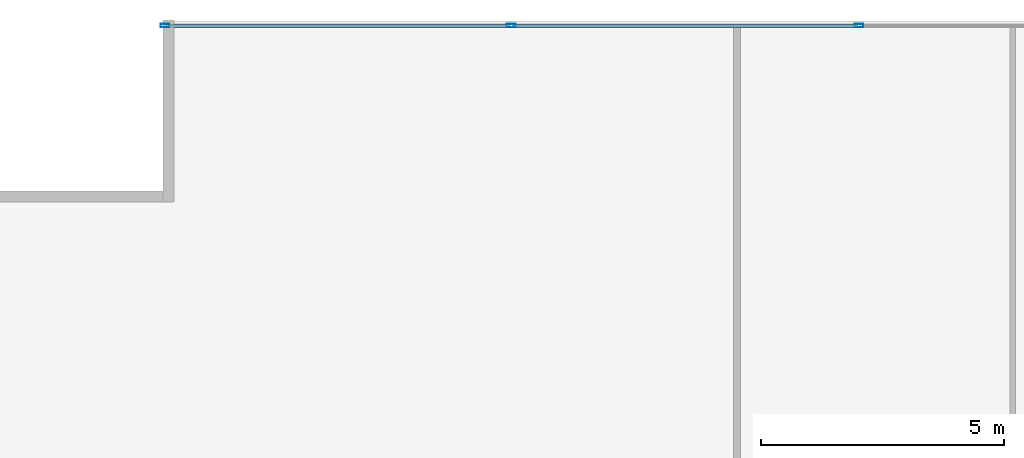
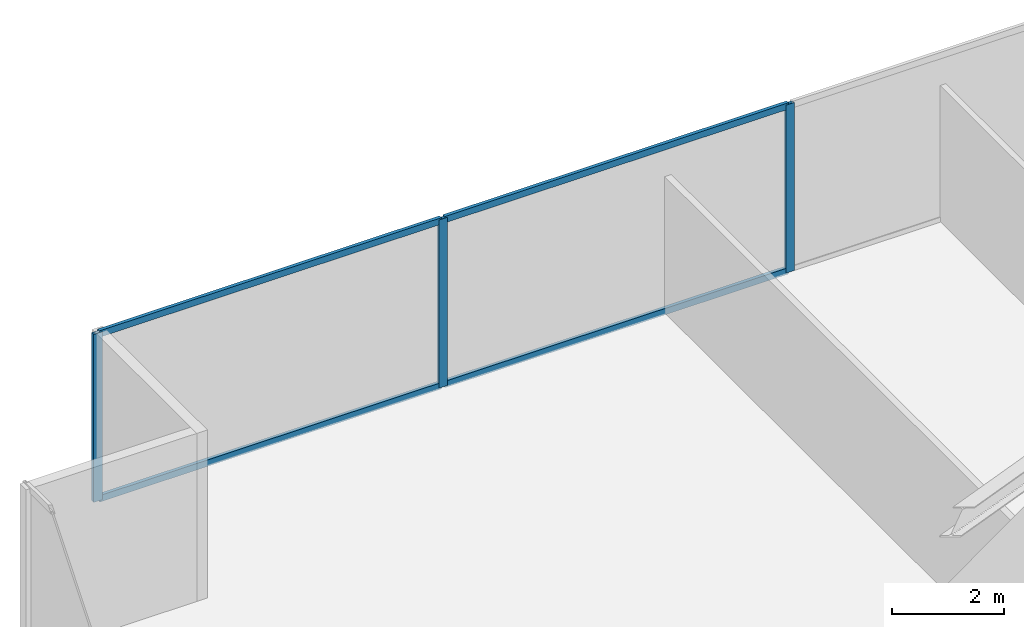
# One storey, part 19 of 28: 7 members, 1 element without a shape of its own.
"""IFC4 building model written with IfcOpenShell, lengths in metres."""

from ifc_helpers import new_model, si_unit, direction, frame, origin, origin_2d, place, context, subcontext, project, spatial, hollow_rectangle, extrude, source, transform, mapped, material, material_profile, profile_set, type_object, type_shapes, element, aggregate, save


model = new_model("IFC4")

# Units and contexts
model_context = context("Model", 3, precision=1e-05, world=origin(), true_north=direction((0.0, 1.0)))
body_context = subcontext(model_context, "Body", "Model", "MODEL_VIEW")
ifc_project = project(units=[si_unit("LENGTHUNIT", "METRE"), si_unit("AREAUNIT", "SQUARE_METRE"), si_unit("VOLUMEUNIT", "CUBIC_METRE"), si_unit("PLANEANGLEUNIT", "RADIAN"), si_unit("MASSUNIT", "GRAM", prefix="KILO")], contexts=[model_context])

# Site, building, storey
site_placement = place(None, origin())
site = spatial("IfcSite", under=ifc_project, at=site_placement, CompositionType="ELEMENT")
building_placement = place(site_placement, origin())
building = spatial("IfcBuilding", under=site, at=building_placement, Name="Krantzveldt Concourse Tower", CompositionType="ELEMENT")
storey_placement = place(building_placement, frame((0.0, 0.0, 32.89990234375)))
storey = spatial("IfcBuildingStorey", under=building, at=storey_placement, Name="L07", CompositionType="ELEMENT", Elevation=32.89990234375)

# Curtain wall, members
ifc_material = material(Name="Anodised aluminium 6063-T6", Category="aluminium")
curtain_wall_type = type_object("IfcCurtainWallType", Name="CW2", PredefinedType="USERDEFINED", material=ifc_material)
curtain_wall_placement = place(storey_placement, origin())
curtain_wall = element("IfcCurtainWall", 1, at=curtain_wall_placement, inside=storey, type_object=curtain_wall_type, Name="CW-L07-F10", ObjectType="UNITISED CURTAIN WALL", PredefinedType="USERDEFINED")
ifc_material_profile_1 = material_profile(ifc_material, hollow_rectangle(XDim=0.070068359375, YDim=0.139892578125, WallThickness=0.0048828125, at=origin_2d()), Name="Anodised aluminium 6063-T6", Category="aluminium")
ifc_profile_set_1 = profile_set([ifc_material_profile_1], Name="Anodised aluminium 6063-T6 - ALU-TRAN 140x70x5")
member_type_1 = type_object("IfcMemberType", Name="CW-TRN-150", PredefinedType="USERDEFINED", material=ifc_profile_set_1)
shared_shape_1 = source(origin(), body_context, "Body", "SweptSolid", [
    extrude(hollow_rectangle(XDim=0.070068359375, YDim=0.139892578125, WallThickness=0.0048828125, at=origin_2d()), origin(), (0.0, 0.0, 1.0), 7.0615234375),
])
member_1_placement = place(storey_placement, frame((21.631591796875, 51.610107421875, 0.03515625), z_axis=(-1.0, 0.0, 0.0), x_axis=(0.0, -1.0, 0.0)))
member_1 = element("IfcMember", 2, at=member_1_placement, type_object=member_type_1, Name="CW-Z12 transom 6.1", ObjectType="TRANSOM", PredefinedType="USERDEFINED", context=body_context, shape_type="MappedRepresentation", body=[
    mapped(shared_shape_1, transform((0.0, 0.0, 0.0), x_axis=(1.0, 0.0, 0.0), y_axis=(0.0, 1.0, 0.0), z_axis=(0.0, 0.0, 1.0), scale=1.0)),
])
member_2_placement = place(storey_placement, frame((21.631591796875, 51.610107421875, 3.635009765625), z_axis=(-1.0, 0.0, 0.0), x_axis=(0.0, -1.0, 0.0)))
member_2 = element("IfcMember", 3, at=member_2_placement, type_object=member_type_1, Name="CW-Z12 transom 6.2", ObjectType="TRANSOM", PredefinedType="USERDEFINED", context=body_context, shape_type="MappedRepresentation", body=[
    mapped(shared_shape_1, transform((0.0, 0.0, 0.0), x_axis=(1.0, 0.0, 0.0), y_axis=(0.0, 1.0, 0.0), z_axis=(0.0, 0.0, 1.0), scale=1.0)),
])
shared_shape_2 = source(origin(), body_context, "Body", "SweptSolid", [
    extrude(hollow_rectangle(XDim=0.070068359375, YDim=0.139892578125, WallThickness=0.0048828125, at=origin_2d()), origin(), (0.0, 0.0, 1.0), 7.0966796875),
])
type_shapes(member_type_1, [shared_shape_1, shared_shape_2])
member_3_placement = place(storey_placement, frame((28.79833984375, 51.610107421875, 0.03515625), z_axis=(-1.0, 0.0, 0.0), x_axis=(0.0, -1.0, 0.0)))
member_3 = element("IfcMember", 4, at=member_3_placement, type_object=member_type_1, Name="CW-Z12 transom 5.1", ObjectType="TRANSOM", PredefinedType="USERDEFINED", context=body_context, shape_type="MappedRepresentation", body=[
    mapped(shared_shape_2, transform((0.0, 0.0, 0.0), x_axis=(1.0, 0.0, 0.0), y_axis=(0.0, 1.0, 0.0), z_axis=(0.0, 0.0, 1.0), scale=1.0)),
])
member_4_placement = place(storey_placement, frame((28.79833984375, 51.610107421875, 3.635009765625), z_axis=(-1.0, 0.0, 0.0), x_axis=(0.0, -1.0, 0.0)))
member_4 = element("IfcMember", 5, at=member_4_placement, type_object=member_type_1, Name="CW-Z12 transom 5.2", ObjectType="TRANSOM", PredefinedType="USERDEFINED", context=body_context, shape_type="MappedRepresentation", body=[
    mapped(shared_shape_2, transform((0.0, 0.0, 0.0), x_axis=(1.0, 0.0, 0.0), y_axis=(0.0, 1.0, 0.0), z_axis=(0.0, 0.0, 1.0), scale=1.0)),
])
ifc_material_profile_2 = material_profile(ifc_material, hollow_rectangle(XDim=0.070068359375, YDim=0.179931640625, WallThickness=0.0048828125, at=origin_2d()), Name="Anodised aluminium 6063-T6", Category="aluminium")
ifc_profile_set_2 = profile_set([ifc_material_profile_2], Name="Anodised aluminium 6063-T6 - ALU-MULL 180x70x5")
member_type_2 = type_object("IfcMemberType", Name="CW-MUL-180", PredefinedType="MULLION", material=ifc_profile_set_2)
shared_shape_3 = source(origin(), body_context, "Body", "SweptSolid", [
    extrude(hollow_rectangle(XDim=0.070068359375, YDim=0.179931640625, WallThickness=0.0048828125, at=origin_2d()), origin(), (0.0, 0.0, 1.0), 3.670166015625),
])
type_shapes(member_type_2, [shared_shape_3])
member_5_placement = place(storey_placement, frame((28.833251953125, 51.610107421875, 0.0), z_axis=(0.0, 0.0, 1.0), x_axis=(0.0, -1.0, 0.0)))
member_5 = element("IfcMember", 6, at=member_5_placement, type_object=member_type_2, Name="CW-Z12 mullion 5", PredefinedType="MULLION", context=body_context, shape_type="MappedRepresentation", body=[
    mapped(shared_shape_3, transform((0.0, 0.0, 0.0), x_axis=(1.0, 0.0, 0.0), y_axis=(0.0, 1.0, 0.0), z_axis=(0.0, 0.0, 1.0), scale=1.0)),
])
member_6_placement = place(storey_placement, frame((21.666748046875, 51.610107421875, 0.0), z_axis=(0.0, 0.0, 1.0), x_axis=(0.0, -1.0, 0.0)))
member_6 = element("IfcMember", 7, at=member_6_placement, type_object=member_type_2, Name="CW-Z12 mullion 6", PredefinedType="MULLION", context=body_context, shape_type="MappedRepresentation", body=[
    mapped(shared_shape_3, transform((0.0, 0.0, 0.0), x_axis=(1.0, 0.0, 0.0), y_axis=(0.0, 1.0, 0.0), z_axis=(0.0, 0.0, 1.0), scale=1.0)),
])
member_7_placement = place(storey_placement, frame((14.534912109375, 51.610107421875, 0.0), z_axis=(0.0, 0.0, 1.0), x_axis=(0.0, -1.0, 0.0)))
member_7 = element("IfcMember", 8, at=member_7_placement, type_object=member_type_2, Name="CW-Z12 mullion 7", PredefinedType="MULLION", context=body_context, shape_type="MappedRepresentation", body=[
    mapped(shared_shape_3, transform((0.0, 0.0, 0.0), x_axis=(1.0, 0.0, 0.0), y_axis=(0.0, 1.0, 0.0), z_axis=(0.0, 0.0, 1.0), scale=1.0)),
])
aggregate(curtain_wall, [member_5, member_6, member_7, member_3, member_4, member_1, member_2])

save(model, "model.ifc")
